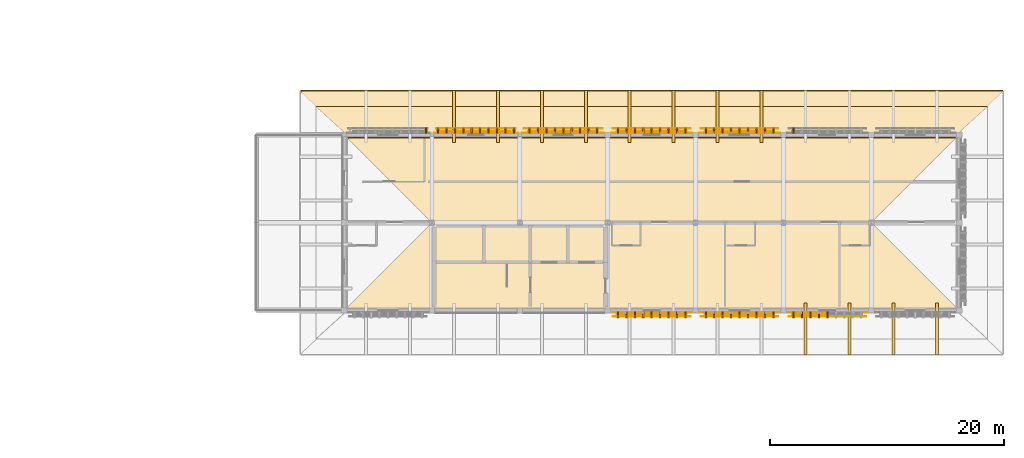
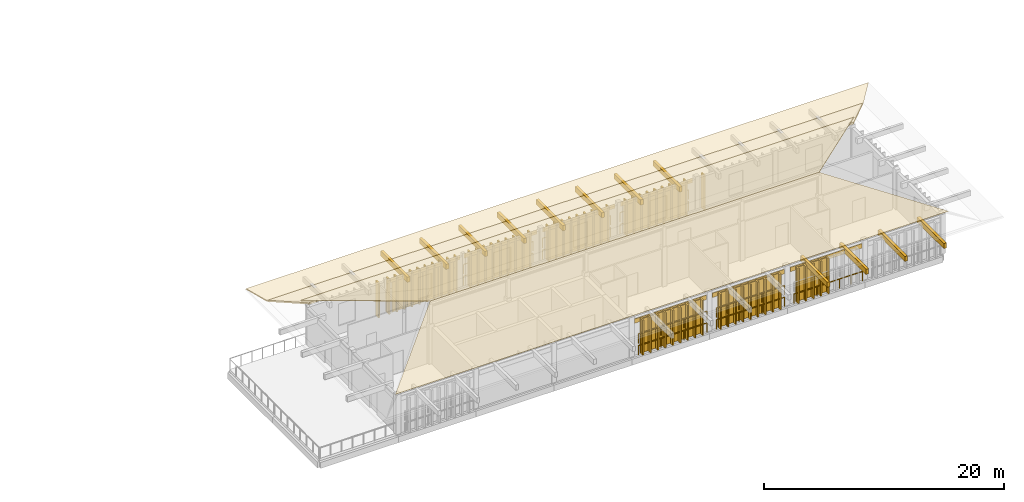
# One storey, part 32 of 33: 85 coverings, 26 shading devices, 13 railings.
"""IFC4 building model written with IfcOpenShell, lengths in metres."""

import ifcopenshell
import ifcopenshell.guid

model = None  # the IFC model being written
_history = None  # IfcOwnerHistory: only IFC2X3 demands one
_inside = {}  # id of a spatial element -> (the spatial element, [elements in it])
_under = {}  # id of a project, library or spatial element -> (it, [spatial elements below it])
_declared = {}  # id of a project -> (the project, [libraries it declares])
_typed = {}  # id of a type object -> (the type object, [elements of that type])
_made_of = {}  # id of a material, layer set ... -> (it, [elements and type objects made of it])


def new_model(schema):
    """Start an empty IFC model of exactly this schema.

    Asked for "IFC4X3", IfcOpenShell would pick the latest addendum, in which some entities
    have other attributes; the version numbers below select the first issue.
    IFC2X3 requires an IfcOwnerHistory on every rooted entity: one is made here for all.
    """
    global model, _history
    if schema == "IFC4X3":
        model = ifcopenshell.file(schema_version=(4, 3, 0, 0))
    else:
        model = ifcopenshell.file(schema=schema)
    _inside.clear()
    _under.clear()
    _declared.clear()
    _typed.clear()
    _made_of.clear()
    _history = None
    if model.schema == "IFC2X3":
        org = make("IfcOrganization", Name="unknown")
        user = make(
            "IfcPersonAndOrganization",
            ThePerson=make("IfcPerson", FamilyName="unknown"),
            TheOrganization=org,
        )
        app = make(
            "IfcApplication",
            ApplicationDeveloper=org,
            Version="unknown",
            ApplicationFullName="unknown",
            ApplicationIdentifier="unknown",
        )
        _history = make(
            "IfcOwnerHistory",
            OwningUser=user,
            OwningApplication=app,
            ChangeAction="ADDED",
            CreationDate=0,
        )
    return model


def make(cls, **values):
    """One entity of the class cls with the attributes given. An attribute that is None is left unset."""
    return model.create_entity(
        cls, **{name: value for name, value in values.items() if value is not None}
    )


def rooted(cls, **values):
    """An entity with a GlobalId (a new one), such as an element, a storey or a relation."""
    return make(cls, GlobalId=ifcopenshell.guid.new(), OwnerHistory=_history, **values)


def si_unit(unit_type, name, prefix=None):
    """IfcSIUnit, for example si_unit("LENGTHUNIT", "METRE", prefix="MILLI")."""
    return make("IfcSIUnit", UnitType=unit_type, Prefix=prefix, Name=name)


def assignment(units):
    """IfcUnitAssignment: the units of a project."""
    return None if units is None else make("IfcUnitAssignment", Units=units)


def point(xyz):
    """IfcCartesianPoint."""
    return None if xyz is None else make("IfcCartesianPoint", Coordinates=xyz)


def direction(xyz):
    """IfcDirection."""
    return None if xyz is None else make("IfcDirection", DirectionRatios=xyz)


def frame(location, z_axis=None, x_axis=None):
    """IfcAxis2Placement3D, a coordinate frame: its origin and axes. An axis left out is left unset."""
    return make(
        "IfcAxis2Placement3D",
        Location=point(location),
        Axis=direction(z_axis),
        RefDirection=direction(x_axis),
    )


def frame_2d(location, x_axis=None):
    """IfcAxis2Placement2D, a coordinate frame in the plane: its origin and x axis."""
    return make(
        "IfcAxis2Placement2D", Location=point(location), RefDirection=direction(x_axis)
    )


def origin():
    """The frame at (0, 0, 0) with its axes left unset."""
    return frame((0.0, 0.0, 0.0))


def origin_2d():
    """The frame at (0, 0) in the plane with its x axis left unset."""
    return frame_2d((0.0, 0.0))


def place(relative_to, where):
    """IfcLocalPlacement: puts the frame where relative to a parent placement (None: the world)."""
    return make(
        "IfcLocalPlacement", PlacementRelTo=relative_to, RelativePlacement=where
    )


def context(
    kind, dimensions, precision=None, world=None, true_north=None, identifier=None
):
    """IfcGeometricRepresentationContext, for example the 3D "Model" context."""
    return make(
        "IfcGeometricRepresentationContext",
        ContextIdentifier=identifier,
        ContextType=kind,
        CoordinateSpaceDimension=dimensions,
        Precision=precision,
        WorldCoordinateSystem=world,
        TrueNorth=true_north,
    )


def subcontext(parent, identifier, kind, view, scale=None):
    """IfcGeometricRepresentationSubContext, for example "Body" below "Model"."""
    return make(
        "IfcGeometricRepresentationSubContext",
        ContextIdentifier=identifier,
        ContextType=kind,
        ParentContext=parent,
        TargetScale=scale,
        TargetView=view,
    )


def project(units=None, contexts=None):
    """IfcProject with its units and contexts."""
    return rooted(
        "IfcProject",
        Name="project",
        RepresentationContexts=contexts,
        UnitsInContext=assignment(units),
    )


def spatial(cls, under=None, at=None, **own):
    """A site, building, storey or space (cls), placed at a placement, below another one or the project."""
    s = rooted(cls, ObjectPlacement=at, **own)
    if under is not None:
        _under.setdefault(under.id(), (under, []))[1].append(s)
    return s


def polyline(points):
    """IfcPolyline through the points."""
    return make("IfcPolyline", Points=[point(p) for p in points])


def profile(cls, at=None, kind="AREA", **sizes):
    """A parametric profile (cls). Its sizes go by their IFC names, for example OverallWidth=200.0."""
    return make(cls, ProfileType=kind, Position=at, **sizes)


def rectangle(**sizes):
    """IfcRectangleProfileDef."""
    return profile("IfcRectangleProfileDef", **sizes)


def circle(**sizes):
    """IfcCircleProfileDef."""
    return profile("IfcCircleProfileDef", **sizes)


def outline(outer, holes=None, kind="AREA"):
    """IfcArbitraryClosedProfileDef: a profile drawn as a closed curve; with holes, ...WithVoids."""
    if holes is None:
        return make("IfcArbitraryClosedProfileDef", ProfileType=kind, OuterCurve=outer)
    return make(
        "IfcArbitraryProfileDefWithVoids",
        ProfileType=kind,
        OuterCurve=outer,
        InnerCurves=holes,
    )


def extrude(swept, where, along, depth):
    """IfcExtrudedAreaSolid: the profile swept, set in the frame where, extruded along a direction by depth."""
    return make(
        "IfcExtrudedAreaSolid",
        SweptArea=swept,
        Position=where,
        ExtrudedDirection=direction(along),
        Depth=depth,
    )


def shape(context_of_items, identifier, shape_type, items):
    """IfcShapeRepresentation: the items that make up one representation, for example the "Body"."""
    return make(
        "IfcShapeRepresentation",
        ContextOfItems=context_of_items,
        RepresentationIdentifier=identifier,
        RepresentationType=shape_type,
        Items=items,
    )


def material(Name=None, Category=None):
    """IfcMaterial."""
    return make("IfcMaterial", Name=Name, Category=Category)


def layer(
    of_material, thickness, ventilated=None, Name=None, Category=None, Priority=None
):
    """IfcMaterialLayer: one layer of a wall or slab, of a material (None: an air gap)."""
    return make(
        "IfcMaterialLayer",
        Material=of_material,
        LayerThickness=thickness,
        IsVentilated=ventilated,
        Name=Name,
        Category=Category,
        Priority=Priority,
    )


def layer_set(layers, Name=None):
    """IfcMaterialLayerSet."""
    return make("IfcMaterialLayerSet", MaterialLayers=layers, LayerSetName=Name)


def made_of(thing, what):
    """Note that an element or type object is made of a material, layer set ...; save() writes the relation."""
    if what is not None:
        _made_of.setdefault(what.id(), (what, []))[1].append(thing)
    return thing


def type_object(cls, material=None, **own):
    """A type object (cls), such as IfcWallType, which elements share."""
    return made_of(rooted(cls, **own), material)


def element(
    cls,
    number,
    at=None,
    inside=None,
    cuts=None,
    type_object=None,
    material=None,
    context=None,
    identifier="Body",
    shape_type=None,
    held_by="IfcProductDefinitionShape",
    body=None,
    shapes=None,
    **own,
):
    """One element of the class cls, such as IfcWall. Its Tag is "e" and its number.

    at: its placement. inside: the storey or other place that contains it. cuts: it is an
    opening in that element (IfcRelVoidsElement). A single representation is given by context,
    identifier, shape_type and body (its items); several are given by shapes. held_by: the class
    of the entity that holds the representations. save() writes the other relations.
    """
    e = rooted(cls, Tag="e%d" % number, ObjectPlacement=at, **own)
    if body is not None:
        shapes = [shape(context, identifier, shape_type, body)]
    if shapes is not None:
        e.Representation = make(held_by, Representations=shapes)
    if inside is not None:
        _inside.setdefault(inside.id(), (inside, []))[1].append(e)
    if cuts is not None:
        rooted(
            "IfcRelVoidsElement", RelatingBuildingElement=cuts, RelatedOpeningElement=e
        )
    if type_object is not None:
        _typed.setdefault(type_object.id(), (type_object, []))[1].append(e)
    return made_of(e, material)


def aggregate(whole, parts):
    """IfcRelAggregates: a whole, such as a stair, and the parts it consists of."""
    return rooted("IfcRelAggregates", RelatingObject=whole, RelatedObjects=parts)


def save(model, path):
    """Write the relations noted so far, then the file.

    IfcRelAggregates (storeys below a building ...), IfcRelContainedInSpatialStructure (elements
    in a storey), IfcRelDefinesByType, IfcRelAssociatesMaterial and IfcRelDeclares: one each for
    every whole, place, type object, material and project.
    """
    for whole, parts in _under.values():
        aggregate(whole, parts)
    for where, things in _inside.values():
        rooted(
            "IfcRelContainedInSpatialStructure",
            RelatedElements=things,
            RelatingStructure=where,
        )
    for kind, things in _typed.values():
        rooted("IfcRelDefinesByType", RelatedObjects=things, RelatingType=kind)
    for what, things in _made_of.values():
        rooted("IfcRelAssociatesMaterial", RelatedObjects=things, RelatingMaterial=what)
    for by, libraries in _declared.values():
        rooted("IfcRelDeclares", RelatingContext=by, RelatedDefinitions=libraries)
    model.write(path)


model = new_model("IFC4")

# Units and contexts
model_context = context("Model", 3, precision=1e-05, world=origin(), true_north=direction((0.0, 1.0)))
body_context = subcontext(model_context, "Body", "Model", "MODEL_VIEW")
ifc_project = project(units=[si_unit("LENGTHUNIT", "METRE"), si_unit("AREAUNIT", "SQUARE_METRE"), si_unit("VOLUMEUNIT", "CUBIC_METRE"), si_unit("PLANEANGLEUNIT", "RADIAN"), si_unit("MASSUNIT", "GRAM", prefix="KILO")], contexts=[model_context])

# Site, building, storey
site_placement = place(None, origin())
site = spatial("IfcSite", under=ifc_project, at=site_placement, CompositionType="ELEMENT")
building_placement = place(site_placement, origin())
building = spatial("IfcBuilding", under=site, at=building_placement, Name="Dalvernix Boulevard General Hospital", CompositionType="ELEMENT")
storey_placement = place(building_placement, frame((0.0, 0.0, 21.89990234375)))
storey = spatial("IfcBuildingStorey", under=building, at=storey_placement, Name="L05", CompositionType="ELEMENT", Elevation=21.89990234375)

# Coverings
ifc_material_1 = material(Name="Polychrome Catalan glazed ceramic spandrel tile panel")
ifc_layer_1 = layer(ifc_material_1, 0.044921875)
ifc_layer_set_1 = layer_set([ifc_layer_1], Name="Polychrome Catalan glazed ceramic spandrel tile panel (COV-CLD-01)")
covering_type_1 = type_object("IfcCoveringType", Name="COV-CLD-01", PredefinedType="CLADDING", material=ifc_layer_set_1)
covering_1_placement = place(storey_placement, frame((131.25, 22.659912109375, 3.294921875), z_axis=(0.0, 0.0, 1.0), x_axis=(1.0, 0.0, 0.0)))
element("IfcCovering", 1, at=covering_1_placement, inside=storey, type_object=covering_type_1, Name="L05 polychrome ceramic spandrel N 17-3", PredefinedType="CLADDING", context=body_context, shape_type="SweptSolid", body=[
    extrude(rectangle(XDim=7.10009765625, YDim=0.044921875, at=origin_2d()), origin(), (0.0, 0.0, 1.0), 0.449951171875),
])
covering_2_placement = place(storey_placement, frame((138.70751953125, 22.659912109375, 3.294921875), z_axis=(0.0, 0.0, 1.0), x_axis=(1.0, 0.0, 0.0)))
element("IfcCovering", 2, at=covering_2_placement, inside=storey, type_object=covering_type_1, Name="L05 polychrome ceramic spandrel N 18-3", PredefinedType="CLADDING", context=body_context, shape_type="SweptSolid", body=[
    extrude(rectangle(XDim=7.014892578125, YDim=0.044921875, at=origin_2d()), origin(), (0.0, 0.0, 1.0), 0.449951171875),
])
for number, where, z_axis, x_axis, name in (
    (3, (146.25, 7.340087890625, 3.294921875), (0.0, 0.0, 1.0), (-1.0, 0.0, 0.0), "L05 polychrome ceramic spandrel S 19-1"),
    (4, (146.25, 22.659912109375, 3.294921875), (0.0, 0.0, 1.0), (1.0, 0.0, 0.0), "L05 polychrome ceramic spandrel N 19-3"),
    (5, (153.75, 7.340087890625, 3.294921875), (0.0, 0.0, 1.0), (-1.0, 0.0, 0.0), "L05 polychrome ceramic spandrel S 20-1"),
    (6, (153.75, 22.659912109375, 3.294921875), (0.0, 0.0, 1.0), (1.0, 0.0, 0.0), "L05 polychrome ceramic spandrel N 20-3"),
    (7, (161.25, 7.340087890625, 3.294921875), (0.0, 0.0, 1.0), (-1.0, 0.0, 0.0), "L05 polychrome ceramic spandrel S 21-1"),
):
    element("IfcCovering", number, at=place(storey_placement, frame(where, z_axis=z_axis, x_axis=x_axis)), inside=storey, type_object=covering_type_1, Name=name, PredefinedType="CLADDING", context=body_context, shape_type="SweptSolid", body=[
        extrude(rectangle(XDim=6.929931640625, YDim=0.044921875, at=origin_2d()), origin(), (0.0, 0.0, 1.0), 0.449951171875),
    ])
ifc_material_2 = material(Name="Glazed Catalan terracotta and iroko timber overhanging upturned eave", Category="masonry")
ifc_layer_2 = layer(ifc_material_2, 0.139892578125)
ifc_layer_set_2 = layer_set([ifc_layer_2], Name="Glazed Catalan terracotta and iroko timber overhanging upturned eave (COV-EAVE-01)")
covering_type_2 = type_object("IfcCoveringType", Name="COV-EAVE-01", PredefinedType="CLADDING", material=ifc_layer_set_2)
covering_3_placement = place(storey_placement, frame((172.5, 22.25, 4.31005859375), z_axis=(0.0, 0.185805173125, 0.982586605669), x_axis=(-1.0, 0.0, 0.0)))
element("IfcCovering", 8, at=covering_3_placement, inside=storey, type_object=covering_type_2, Name="V5 overhanging ceramic eave skirt N", PredefinedType="CLADDING", context=body_context, shape_type="SweptSolid", body=[
    extrude(outline(polyline([(0.0, 0.0), (52.5, 0.0), (55.0, -2.798735484621844), (-2.5, -2.798735484621844), (0.0, 0.0)])), origin(), (0.0, 0.0, -1.0), 0.139892578125),
])
covering_4_placement = place(storey_placement, frame((175.0, 24.919921875, 3.7900390625), z_axis=(0.0, -0.543014792189, 0.839723130242), x_axis=(-1.0, 0.0, 0.0)))
element("IfcCovering", 9, at=covering_4_placement, inside=storey, type_object=covering_type_2, Name="V5 upturned ceramic eave wing N", PredefinedType="CLADDING", context=body_context, shape_type="SweptSolid", body=[
    extrude(outline(polyline([(0.0, 0.0), (57.5, 0.0), (58.75, -1.5839484195414872), (-1.25, -1.5839484195414872), (0.0, 0.0)])), origin(), (0.0, 0.0, -1.0), 0.139892578125),
])
ifc_material_3 = material(Name="Preservative-treated glulam GL28h eave outlooker corbel bracket", Category="wood")
ifc_layer_3 = layer(ifc_material_3, 0.239990234375)
ifc_layer_set_3 = layer_set([ifc_layer_3], Name="Preservative-treated glulam GL28h eave outlooker corbel bracket (COV-OUTLOOK-01)")
covering_type_3 = type_object("IfcCoveringType", Name="COV-OUTLOOK-01", PredefinedType="CLADDING", material=ifc_layer_set_3)
for number, where, z_axis, x_axis, name in (
    (10, (159.375, 5.925048828125, 3.39013671875), (0.0, 0.0, 1.0), (1.0, 0.0, 0.0), "V5 glulam eave outlooker corbel S-11"),
    (11, (163.125, 5.925048828125, 3.39013671875), (0.0, 0.0, 1.0), (1.0, 0.0, 0.0), "V5 glulam eave outlooker corbel S-12"),
    (12, (166.875, 5.925048828125, 3.39013671875), (0.0, 0.0, 1.0), (1.0, 0.0, 0.0), "V5 glulam eave outlooker corbel S-13"),
    (13, (170.625, 5.925048828125, 3.39013671875), (0.0, 0.0, 1.0), (1.0, 0.0, 0.0), "V5 glulam eave outlooker corbel S-14"),
    (14, (129.375, 24.074951171875, 3.39013671875), (0.0, 0.0, 1.0), (1.0, 0.0, 0.0), "V5 glulam eave outlooker corbel N-3"),
    (15, (133.125, 24.074951171875, 3.39013671875), (0.0, 0.0, 1.0), (1.0, 0.0, 0.0), "V5 glulam eave outlooker corbel N-4"),
    (16, (136.875, 24.074951171875, 3.39013671875), (0.0, 0.0, 1.0), (1.0, 0.0, 0.0), "V5 glulam eave outlooker corbel N-5"),
    (17, (140.625, 24.074951171875, 3.39013671875), (0.0, 0.0, 1.0), (1.0, 0.0, 0.0), "V5 glulam eave outlooker corbel N-6"),
    (18, (144.375, 24.074951171875, 3.39013671875), (0.0, 0.0, 1.0), (1.0, 0.0, 0.0), "V5 glulam eave outlooker corbel N-7"),
    (19, (148.125, 24.074951171875, 3.39013671875), (0.0, 0.0, 1.0), (1.0, 0.0, 0.0), "V5 glulam eave outlooker corbel N-8"),
    (20, (151.875, 24.074951171875, 3.39013671875), (0.0, 0.0, 1.0), (1.0, 0.0, 0.0), "V5 glulam eave outlooker corbel N-9"),
    (21, (155.625, 24.074951171875, 3.39013671875), (0.0, 0.0, 1.0), (1.0, 0.0, 0.0), "V5 glulam eave outlooker corbel N-10"),
):
    element("IfcCovering", number, at=place(storey_placement, frame(where, z_axis=z_axis, x_axis=x_axis)), inside=storey, type_object=covering_type_3, Name=name, PredefinedType="CLADDING", context=body_context, shape_type="SweptSolid", body=[
        extrude(rectangle(XDim=0.260009765625, YDim=4.449951171875, at=origin_2d()), origin(), (0.0, 0.0, 1.0), 0.52001953125),
    ])
ifc_material_4 = material(Name="Polychrome Catalan glazed terracotta roof tiles", Category="masonry")
ifc_layer_4 = layer(ifc_material_4, 0.050048828125)
ifc_layer_set_4 = layer_set([ifc_layer_4], Name="Polychrome Catalan glazed terracotta roof tiles (COV-ROOF-01)")
covering_type_4 = type_object("IfcCoveringType", Name="COV-ROOF-01", PredefinedType="ROOFING", material=ifc_layer_set_4)
for number, where, z_axis, x_axis, name in (
    (22, (119.60009765625, 7.10009765625, 4.320068359375), (0.0, -0.238536653022, 0.971133495028), (1.0, 0.0, 0.0), "V5 glazed terracotta tile slope S"),
    (23, (172.89990234375, 22.89990234375, 4.320068359375), (0.0, 0.238536653022, 0.971133495028), (-1.0, 0.0, 0.0), "V5 glazed terracotta tile slope N"),
):
    element("IfcCovering", number, at=place(storey_placement, frame(where, z_axis=z_axis, x_axis=x_axis)), inside=storey, type_object=covering_type_4, Name=name, PredefinedType="ROOFING", context=body_context, shape_type="SweptSolid", body=[
        extrude(outline(polyline([(0.0, 0.0), (53.2998046875, 0.0), (45.39990234375, 8.134723376545638), (7.89990234375, 8.134723376545638), (0.0, 0.0)])), origin(), (0.0, 0.0, -1.0), 0.050048828125),
    ])
ifc_material_5 = material(Name="Preservative-treated West African iroko timber lattice screen", Category="wood")
ifc_layer_5 = layer(ifc_material_5, 0.1201171875)
ifc_layer_set_5 = layer_set([ifc_layer_5], Name="Preservative-treated West African iroko timber lattice screen (COV-TSCR-01)")
covering_type_5 = type_object("IfcCoveringType", Name="COV-TSCR-01", PredefinedType="CLADDING", material=ifc_layer_set_5)
for number, where, z_axis, x_axis, name in (
    (24, (126.989990234375, 22.860107421875, 0.10009765625), (0.0, 0.0, 1.0), (1.0, 0.0, 0.0), "L05 upper-ward timber screen blade N 16-3-10"),
    (25, (128.010009765625, 22.860107421875, 0.10009765625), (0.0, 0.0, 1.0), (1.0, 0.0, 0.0), "L05 upper-ward timber screen blade N 17-3-1"),
    (26, (128.72998046875, 22.860107421875, 0.10009765625), (0.0, 0.0, 1.0), (1.0, 0.0, 0.0), "L05 upper-ward timber screen blade N 17-3-2"),
    (27, (129.449951171875, 22.860107421875, 0.10009765625), (0.0, 0.0, 1.0), (1.0, 0.0, 0.0), "L05 upper-ward timber screen blade N 17-3-3"),
    (28, (130.169921875, 22.860107421875, 0.10009765625), (0.0, 0.0, 1.0), (1.0, 0.0, 0.0), "L05 upper-ward timber screen blade N 17-3-4"),
    (29, (130.889892578125, 22.860107421875, 0.10009765625), (0.0, 0.0, 1.0), (1.0, 0.0, 0.0), "L05 upper-ward timber screen blade N 17-3-5"),
    (30, (131.610107421875, 22.860107421875, 0.10009765625), (0.0, 0.0, 1.0), (1.0, 0.0, 0.0), "L05 upper-ward timber screen blade N 17-3-6"),
    (31, (132.330078125, 22.860107421875, 0.10009765625), (0.0, 0.0, 1.0), (1.0, 0.0, 0.0), "L05 upper-ward timber screen blade N 17-3-7"),
    (32, (133.050048828125, 22.860107421875, 0.10009765625), (0.0, 0.0, 1.0), (1.0, 0.0, 0.0), "L05 upper-ward timber screen blade N 17-3-8"),
    (33, (133.77001953125, 22.860107421875, 0.10009765625), (0.0, 0.0, 1.0), (1.0, 0.0, 0.0), "L05 upper-ward timber screen blade N 17-3-9"),
    (34, (134.489990234375, 22.860107421875, 0.10009765625), (0.0, 0.0, 1.0), (1.0, 0.0, 0.0), "L05 upper-ward timber screen blade N 17-3-10"),
    (35, (135.827392578125, 22.860107421875, 0.10009765625), (0.0, 0.0, 1.0), (1.0, 0.0, 0.0), "L05 upper-ward timber screen blade N 18-3-1"),
    (36, (136.547607421875, 22.860107421875, 0.10009765625), (0.0, 0.0, 1.0), (1.0, 0.0, 0.0), "L05 upper-ward timber screen blade N 18-3-2"),
    (37, (137.267578125, 22.860107421875, 0.10009765625), (0.0, 0.0, 1.0), (1.0, 0.0, 0.0), "L05 upper-ward timber screen blade N 18-3-3"),
    (38, (137.987548828125, 22.860107421875, 0.10009765625), (0.0, 0.0, 1.0), (1.0, 0.0, 0.0), "L05 upper-ward timber screen blade N 18-3-4"),
    (39, (138.70751953125, 22.860107421875, 0.10009765625), (0.0, 0.0, 1.0), (1.0, 0.0, 0.0), "L05 upper-ward timber screen blade N 18-3-5"),
    (40, (139.427490234375, 22.860107421875, 0.10009765625), (0.0, 0.0, 1.0), (1.0, 0.0, 0.0), "L05 upper-ward timber screen blade N 18-3-6"),
    (41, (140.1474609375, 22.860107421875, 0.10009765625), (0.0, 0.0, 1.0), (1.0, 0.0, 0.0), "L05 upper-ward timber screen blade N 18-3-7"),
    (42, (140.867431640625, 22.860107421875, 0.10009765625), (0.0, 0.0, 1.0), (1.0, 0.0, 0.0), "L05 upper-ward timber screen blade N 18-3-8"),
    (43, (141.58740234375, 22.860107421875, 0.10009765625), (0.0, 0.0, 1.0), (1.0, 0.0, 0.0), "L05 upper-ward timber screen blade N 18-3-9"),
    (44, (149.1298828125, 7.139892578125, 0.10009765625), (0.0, 0.0, 1.0), (-1.0, 0.0, 0.0), "L05 upper-ward timber screen blade S 19-1-1"),
    (45, (148.409912109375, 7.139892578125, 0.10009765625), (0.0, 0.0, 1.0), (-1.0, 0.0, 0.0), "L05 upper-ward timber screen blade S 19-1-2"),
    (46, (147.68994140625, 7.139892578125, 0.10009765625), (0.0, 0.0, 1.0), (-1.0, 0.0, 0.0), "L05 upper-ward timber screen blade S 19-1-3"),
    (47, (146.969970703125, 7.139892578125, 0.10009765625), (0.0, 0.0, 1.0), (-1.0, 0.0, 0.0), "L05 upper-ward timber screen blade S 19-1-4"),
    (48, (146.25, 7.139892578125, 0.10009765625), (0.0, 0.0, 1.0), (-1.0, 0.0, 0.0), "L05 upper-ward timber screen blade S 19-1-5"),
    (49, (145.530029296875, 7.139892578125, 0.10009765625), (0.0, 0.0, 1.0), (-1.0, 0.0, 0.0), "L05 upper-ward timber screen blade S 19-1-6"),
    (50, (144.81005859375, 7.139892578125, 0.10009765625), (0.0, 0.0, 1.0), (-1.0, 0.0, 0.0), "L05 upper-ward timber screen blade S 19-1-7"),
    (51, (144.090087890625, 7.139892578125, 0.10009765625), (0.0, 0.0, 1.0), (-1.0, 0.0, 0.0), "L05 upper-ward timber screen blade S 19-1-8"),
    (52, (143.3701171875, 7.139892578125, 0.10009765625), (0.0, 0.0, 1.0), (-1.0, 0.0, 0.0), "L05 upper-ward timber screen blade S 19-1-9"),
    (53, (143.3701171875, 22.860107421875, 0.10009765625), (0.0, 0.0, 1.0), (1.0, 0.0, 0.0), "L05 upper-ward timber screen blade N 19-3-1"),
    (54, (144.090087890625, 22.860107421875, 0.10009765625), (0.0, 0.0, 1.0), (1.0, 0.0, 0.0), "L05 upper-ward timber screen blade N 19-3-2"),
    (55, (144.81005859375, 22.860107421875, 0.10009765625), (0.0, 0.0, 1.0), (1.0, 0.0, 0.0), "L05 upper-ward timber screen blade N 19-3-3"),
    (56, (145.530029296875, 22.860107421875, 0.10009765625), (0.0, 0.0, 1.0), (1.0, 0.0, 0.0), "L05 upper-ward timber screen blade N 19-3-4"),
    (57, (146.25, 22.860107421875, 0.10009765625), (0.0, 0.0, 1.0), (1.0, 0.0, 0.0), "L05 upper-ward timber screen blade N 19-3-5"),
    (58, (146.969970703125, 22.860107421875, 0.10009765625), (0.0, 0.0, 1.0), (1.0, 0.0, 0.0), "L05 upper-ward timber screen blade N 19-3-6"),
    (59, (147.68994140625, 22.860107421875, 0.10009765625), (0.0, 0.0, 1.0), (1.0, 0.0, 0.0), "L05 upper-ward timber screen blade N 19-3-7"),
    (60, (148.409912109375, 22.860107421875, 0.10009765625), (0.0, 0.0, 1.0), (1.0, 0.0, 0.0), "L05 upper-ward timber screen blade N 19-3-8"),
    (61, (149.1298828125, 22.860107421875, 0.10009765625), (0.0, 0.0, 1.0), (1.0, 0.0, 0.0), "L05 upper-ward timber screen blade N 19-3-9"),
    (62, (156.6298828125, 7.139892578125, 0.10009765625), (0.0, 0.0, 1.0), (-1.0, 0.0, 0.0), "L05 upper-ward timber screen blade S 20-1-1"),
    (63, (155.909912109375, 7.139892578125, 0.10009765625), (0.0, 0.0, 1.0), (-1.0, 0.0, 0.0), "L05 upper-ward timber screen blade S 20-1-2"),
    (64, (155.18994140625, 7.139892578125, 0.10009765625), (0.0, 0.0, 1.0), (-1.0, 0.0, 0.0), "L05 upper-ward timber screen blade S 20-1-3"),
    (65, (154.469970703125, 7.139892578125, 0.10009765625), (0.0, 0.0, 1.0), (-1.0, 0.0, 0.0), "L05 upper-ward timber screen blade S 20-1-4"),
    (66, (153.75, 7.139892578125, 0.10009765625), (0.0, 0.0, 1.0), (-1.0, 0.0, 0.0), "L05 upper-ward timber screen blade S 20-1-5"),
    (67, (153.030029296875, 7.139892578125, 0.10009765625), (0.0, 0.0, 1.0), (-1.0, 0.0, 0.0), "L05 upper-ward timber screen blade S 20-1-6"),
    (68, (152.31005859375, 7.139892578125, 0.10009765625), (0.0, 0.0, 1.0), (-1.0, 0.0, 0.0), "L05 upper-ward timber screen blade S 20-1-7"),
    (69, (151.590087890625, 7.139892578125, 0.10009765625), (0.0, 0.0, 1.0), (-1.0, 0.0, 0.0), "L05 upper-ward timber screen blade S 20-1-8"),
    (70, (150.8701171875, 7.139892578125, 0.10009765625), (0.0, 0.0, 1.0), (-1.0, 0.0, 0.0), "L05 upper-ward timber screen blade S 20-1-9"),
    (71, (150.8701171875, 22.860107421875, 0.10009765625), (0.0, 0.0, 1.0), (1.0, 0.0, 0.0), "L05 upper-ward timber screen blade N 20-3-1"),
    (72, (151.590087890625, 22.860107421875, 0.10009765625), (0.0, 0.0, 1.0), (1.0, 0.0, 0.0), "L05 upper-ward timber screen blade N 20-3-2"),
    (73, (152.31005859375, 22.860107421875, 0.10009765625), (0.0, 0.0, 1.0), (1.0, 0.0, 0.0), "L05 upper-ward timber screen blade N 20-3-3"),
    (74, (153.030029296875, 22.860107421875, 0.10009765625), (0.0, 0.0, 1.0), (1.0, 0.0, 0.0), "L05 upper-ward timber screen blade N 20-3-4"),
    (75, (153.75, 22.860107421875, 0.10009765625), (0.0, 0.0, 1.0), (1.0, 0.0, 0.0), "L05 upper-ward timber screen blade N 20-3-5"),
    (76, (154.469970703125, 22.860107421875, 0.10009765625), (0.0, 0.0, 1.0), (1.0, 0.0, 0.0), "L05 upper-ward timber screen blade N 20-3-6"),
    (77, (155.18994140625, 22.860107421875, 0.10009765625), (0.0, 0.0, 1.0), (1.0, 0.0, 0.0), "L05 upper-ward timber screen blade N 20-3-7"),
    (78, (155.909912109375, 22.860107421875, 0.10009765625), (0.0, 0.0, 1.0), (1.0, 0.0, 0.0), "L05 upper-ward timber screen blade N 20-3-8"),
    (79, (156.6298828125, 22.860107421875, 0.10009765625), (0.0, 0.0, 1.0), (1.0, 0.0, 0.0), "L05 upper-ward timber screen blade N 20-3-9"),
    (80, (161.25, 7.139892578125, 0.10009765625), (0.0, 0.0, 1.0), (-1.0, 0.0, 0.0), "L05 upper-ward timber screen blade S 21-1-5"),
    (81, (160.530029296875, 7.139892578125, 0.10009765625), (0.0, 0.0, 1.0), (-1.0, 0.0, 0.0), "L05 upper-ward timber screen blade S 21-1-6"),
    (82, (159.81005859375, 7.139892578125, 0.10009765625), (0.0, 0.0, 1.0), (-1.0, 0.0, 0.0), "L05 upper-ward timber screen blade S 21-1-7"),
    (83, (159.090087890625, 7.139892578125, 0.10009765625), (0.0, 0.0, 1.0), (-1.0, 0.0, 0.0), "L05 upper-ward timber screen blade S 21-1-8"),
    (84, (158.3701171875, 7.139892578125, 0.10009765625), (0.0, 0.0, 1.0), (-1.0, 0.0, 0.0), "L05 upper-ward timber screen blade S 21-1-9"),
    (85, (158.3701171875, 22.860107421875, 0.10009765625), (0.0, 0.0, 1.0), (1.0, 0.0, 0.0), "L05 upper-ward timber screen blade N 21-3-1"),
):
    element("IfcCovering", number, at=place(storey_placement, frame(where, z_axis=z_axis, x_axis=x_axis)), inside=storey, type_object=covering_type_5, Name=name, PredefinedType="CLADDING", context=body_context, shape_type="SweptSolid", body=[
        extrude(rectangle(XDim=0.1298828125, YDim=0.47998046875, at=origin_2d()), origin(), (0.0, 0.0, 1.0), 3.570068359375),
    ])

# Railings
ifc_material_6 = material(Name="Preservative-treated iroko timber horizontal screen louver rail", Category="wood")
railing_type = type_object("IfcRailingType", Name="RL-TSCR-01", PredefinedType="BALUSTRADE", material=ifc_material_6)
for number, where, name in (
    (86, (127.8701171875, 23.02001953125, 0.25), "L05 upper-ward horizontal timber screen louver N 17-3-1"),
    (87, (127.8701171875, 23.02001953125, 1.4501953125), "L05 upper-ward horizontal timber screen louver N 17-3-2"),
):
    element("IfcRailing", number, at=place(storey_placement, frame(where)), inside=storey, type_object=railing_type, Name=name, PredefinedType="BALUSTRADE", context=body_context, shape_type="SweptSolid", body=[
        extrude(circle(Radius=0.02392578125, at=origin_2d()), frame((0.0, 0.0, 0.92578125), z_axis=(1.0, 0.0, 0.0), x_axis=(0.0, 1.0, 0.0)), (0.0, 0.0, 1.0), 6.759765625),
        extrude(circle(Radius=0.02099609375, at=origin_2d()), origin(), (0.0, 0.0, 1.0), 0.90185546875),
        extrude(circle(Radius=0.02099609375, at=origin_2d()), frame((1.126708984375, 0.0, 0.0)), (0.0, 0.0, 1.0), 0.90185546875),
        extrude(circle(Radius=0.02099609375, at=origin_2d()), frame((2.253173828125, 0.0, 0.0)), (0.0, 0.0, 1.0), 0.90185546875),
        extrude(circle(Radius=0.02099609375, at=origin_2d()), frame((3.3798828125, 0.0, 0.0)), (0.0, 0.0, 1.0), 0.90185546875),
        extrude(circle(Radius=0.02099609375, at=origin_2d()), frame((4.506591796875, 0.0, 0.0)), (0.0, 0.0, 1.0), 0.90185546875),
        extrude(circle(Radius=0.02099609375, at=origin_2d()), frame((5.633056640625, 0.0, 0.0)), (0.0, 0.0, 1.0), 0.90185546875),
        extrude(circle(Radius=0.02099609375, at=origin_2d()), frame((6.759765625, 0.0, 0.0)), (0.0, 0.0, 1.0), 0.90185546875),
    ])
for number, where, name in (
    (88, (135.3701171875, 23.02001953125, 0.25), "L05 upper-ward horizontal timber screen louver N 18-3-1"),
    (89, (135.3701171875, 23.02001953125, 1.4501953125), "L05 upper-ward horizontal timber screen louver N 18-3-2"),
):
    element("IfcRailing", number, at=place(storey_placement, frame(where)), inside=storey, type_object=railing_type, Name=name, PredefinedType="BALUSTRADE", context=body_context, shape_type="SweptSolid", body=[
        extrude(circle(Radius=0.02392578125, at=origin_2d()), frame((0.0, 0.0, 0.92578125), z_axis=(1.0, 0.0, 0.0), x_axis=(0.0, 1.0, 0.0)), (0.0, 0.0, 1.0), 6.6748046875),
        extrude(circle(Radius=0.02099609375, at=origin_2d()), origin(), (0.0, 0.0, 1.0), 0.90185546875),
        extrude(circle(Radius=0.02099609375, at=origin_2d()), frame((1.112548828125, 0.0, 0.0)), (0.0, 0.0, 1.0), 0.90185546875),
        extrude(circle(Radius=0.02099609375, at=origin_2d()), frame((2.224853515625, 0.0, 0.0)), (0.0, 0.0, 1.0), 0.90185546875),
        extrude(circle(Radius=0.02099609375, at=origin_2d()), frame((3.33740234375, 0.0, 0.0)), (0.0, 0.0, 1.0), 0.90185546875),
        extrude(circle(Radius=0.02099609375, at=origin_2d()), frame((4.449951171875, 0.0, 0.0)), (0.0, 0.0, 1.0), 0.90185546875),
        extrude(circle(Radius=0.02099609375, at=origin_2d()), frame((5.562255859375, 0.0, 0.0)), (0.0, 0.0, 1.0), 0.90185546875),
        extrude(circle(Radius=0.02099609375, at=origin_2d()), frame((6.6748046875, 0.0, 0.0)), (0.0, 0.0, 1.0), 0.90185546875),
    ])
for number, where, name in (
    (90, (149.544921875, 6.97998046875, 0.25), "L05 upper-ward horizontal timber screen louver S 19-1-1"),
    (91, (149.544921875, 6.97998046875, 1.4501953125), "L05 upper-ward horizontal timber screen louver S 19-1-2"),
):
    element("IfcRailing", number, at=place(storey_placement, frame(where)), inside=storey, type_object=railing_type, Name=name, PredefinedType="BALUSTRADE", context=body_context, shape_type="SweptSolid", body=[
        extrude(circle(Radius=0.02392578125, at=origin_2d()), frame((0.0, 0.0, 0.92578125), z_axis=(-1.0, 0.0, 0.0), x_axis=(0.0, -1.0, 0.0)), (0.0, 0.0, 1.0), 6.58984375),
        extrude(circle(Radius=0.02099609375, at=origin_2d()), origin(), (0.0, 0.0, 1.0), 0.90185546875),
        extrude(circle(Radius=0.02099609375, at=origin_2d()), frame((-1.098388671875, 0.0, 0.0)), (0.0, 0.0, 1.0), 0.90185546875),
        extrude(circle(Radius=0.02099609375, at=origin_2d()), frame((-2.196533203125, 0.0, 0.0)), (0.0, 0.0, 1.0), 0.90185546875),
        extrude(circle(Radius=0.02099609375, at=origin_2d()), frame((-3.294921875, 0.0, 0.0)), (0.0, 0.0, 1.0), 0.90185546875),
        extrude(circle(Radius=0.02099609375, at=origin_2d()), frame((-4.393310546875, 0.0, 0.0)), (0.0, 0.0, 1.0), 0.90185546875),
        extrude(circle(Radius=0.02099609375, at=origin_2d()), frame((-5.491455078125, 0.0, 0.0)), (0.0, 0.0, 1.0), 0.90185546875),
        extrude(circle(Radius=0.02099609375, at=origin_2d()), frame((-6.58984375, 0.0, 0.0)), (0.0, 0.0, 1.0), 0.90185546875),
    ])
for number, where, name in (
    (92, (142.955078125, 23.02001953125, 0.25), "L05 upper-ward horizontal timber screen louver N 19-3-1"),
    (93, (142.955078125, 23.02001953125, 1.4501953125), "L05 upper-ward horizontal timber screen louver N 19-3-2"),
):
    element("IfcRailing", number, at=place(storey_placement, frame(where)), inside=storey, type_object=railing_type, Name=name, PredefinedType="BALUSTRADE", context=body_context, shape_type="SweptSolid", body=[
        extrude(circle(Radius=0.02392578125, at=origin_2d()), frame((0.0, 0.0, 0.92578125), z_axis=(1.0, 0.0, 0.0), x_axis=(0.0, 1.0, 0.0)), (0.0, 0.0, 1.0), 6.58984375),
        extrude(circle(Radius=0.02099609375, at=origin_2d()), origin(), (0.0, 0.0, 1.0), 0.90185546875),
        extrude(circle(Radius=0.02099609375, at=origin_2d()), frame((1.098388671875, 0.0, 0.0)), (0.0, 0.0, 1.0), 0.90185546875),
        extrude(circle(Radius=0.02099609375, at=origin_2d()), frame((2.196533203125, 0.0, 0.0)), (0.0, 0.0, 1.0), 0.90185546875),
        extrude(circle(Radius=0.02099609375, at=origin_2d()), frame((3.294921875, 0.0, 0.0)), (0.0, 0.0, 1.0), 0.90185546875),
        extrude(circle(Radius=0.02099609375, at=origin_2d()), frame((4.393310546875, 0.0, 0.0)), (0.0, 0.0, 1.0), 0.90185546875),
        extrude(circle(Radius=0.02099609375, at=origin_2d()), frame((5.491455078125, 0.0, 0.0)), (0.0, 0.0, 1.0), 0.90185546875),
        extrude(circle(Radius=0.02099609375, at=origin_2d()), frame((6.58984375, 0.0, 0.0)), (0.0, 0.0, 1.0), 0.90185546875),
    ])
for number, where, name in (
    (94, (157.044921875, 6.97998046875, 0.25), "L05 upper-ward horizontal timber screen louver S 20-1-1"),
    (95, (157.044921875, 6.97998046875, 1.4501953125), "L05 upper-ward horizontal timber screen louver S 20-1-2"),
):
    element("IfcRailing", number, at=place(storey_placement, frame(where)), inside=storey, type_object=railing_type, Name=name, PredefinedType="BALUSTRADE", context=body_context, shape_type="SweptSolid", body=[
        extrude(circle(Radius=0.02392578125, at=origin_2d()), frame((0.0, 0.0, 0.92578125), z_axis=(-1.0, 0.0, 0.0), x_axis=(0.0, -1.0, 0.0)), (0.0, 0.0, 1.0), 6.58984375),
        extrude(circle(Radius=0.02099609375, at=origin_2d()), origin(), (0.0, 0.0, 1.0), 0.90185546875),
        extrude(circle(Radius=0.02099609375, at=origin_2d()), frame((-1.098388671875, 0.0, 0.0)), (0.0, 0.0, 1.0), 0.90185546875),
        extrude(circle(Radius=0.02099609375, at=origin_2d()), frame((-2.196533203125, 0.0, 0.0)), (0.0, 0.0, 1.0), 0.90185546875),
        extrude(circle(Radius=0.02099609375, at=origin_2d()), frame((-3.294921875, 0.0, 0.0)), (0.0, 0.0, 1.0), 0.90185546875),
        extrude(circle(Radius=0.02099609375, at=origin_2d()), frame((-4.393310546875, 0.0, 0.0)), (0.0, 0.0, 1.0), 0.90185546875),
        extrude(circle(Radius=0.02099609375, at=origin_2d()), frame((-5.491455078125, 0.0, 0.0)), (0.0, 0.0, 1.0), 0.90185546875),
        extrude(circle(Radius=0.02099609375, at=origin_2d()), frame((-6.58984375, 0.0, 0.0)), (0.0, 0.0, 1.0), 0.90185546875),
    ])
for number, where, name in (
    (96, (150.455078125, 23.02001953125, 0.25), "L05 upper-ward horizontal timber screen louver N 20-3-1"),
    (97, (150.455078125, 23.02001953125, 1.4501953125), "L05 upper-ward horizontal timber screen louver N 20-3-2"),
):
    element("IfcRailing", number, at=place(storey_placement, frame(where)), inside=storey, type_object=railing_type, Name=name, PredefinedType="BALUSTRADE", context=body_context, shape_type="SweptSolid", body=[
        extrude(circle(Radius=0.02392578125, at=origin_2d()), frame((0.0, 0.0, 0.92578125), z_axis=(1.0, 0.0, 0.0), x_axis=(0.0, 1.0, 0.0)), (0.0, 0.0, 1.0), 6.58984375),
        extrude(circle(Radius=0.02099609375, at=origin_2d()), origin(), (0.0, 0.0, 1.0), 0.90185546875),
        extrude(circle(Radius=0.02099609375, at=origin_2d()), frame((1.098388671875, 0.0, 0.0)), (0.0, 0.0, 1.0), 0.90185546875),
        extrude(circle(Radius=0.02099609375, at=origin_2d()), frame((2.196533203125, 0.0, 0.0)), (0.0, 0.0, 1.0), 0.90185546875),
        extrude(circle(Radius=0.02099609375, at=origin_2d()), frame((3.294921875, 0.0, 0.0)), (0.0, 0.0, 1.0), 0.90185546875),
        extrude(circle(Radius=0.02099609375, at=origin_2d()), frame((4.393310546875, 0.0, 0.0)), (0.0, 0.0, 1.0), 0.90185546875),
        extrude(circle(Radius=0.02099609375, at=origin_2d()), frame((5.491455078125, 0.0, 0.0)), (0.0, 0.0, 1.0), 0.90185546875),
        extrude(circle(Radius=0.02099609375, at=origin_2d()), frame((6.58984375, 0.0, 0.0)), (0.0, 0.0, 1.0), 0.90185546875),
    ])
railing_placement = place(storey_placement, frame((164.544921875, 6.97998046875, 0.25)))
element("IfcRailing", 98, at=railing_placement, inside=storey, type_object=railing_type, Name="L05 upper-ward horizontal timber screen louver S 21-1-1", PredefinedType="BALUSTRADE", context=body_context, shape_type="SweptSolid", body=[
    extrude(circle(Radius=0.02392578125, at=origin_2d()), frame((0.0, 0.0, 0.92578125), z_axis=(-1.0, 0.0, 0.0), x_axis=(0.0, -1.0, 0.0)), (0.0, 0.0, 1.0), 6.58984375),
    extrude(circle(Radius=0.02099609375, at=origin_2d()), origin(), (0.0, 0.0, 1.0), 0.90185546875),
    extrude(circle(Radius=0.02099609375, at=origin_2d()), frame((-1.098388671875, 0.0, 0.0)), (0.0, 0.0, 1.0), 0.90185546875),
    extrude(circle(Radius=0.02099609375, at=origin_2d()), frame((-2.196533203125, 0.0, 0.0)), (0.0, 0.0, 1.0), 0.90185546875),
    extrude(circle(Radius=0.02099609375, at=origin_2d()), frame((-3.294921875, 0.0, 0.0)), (0.0, 0.0, 1.0), 0.90185546875),
    extrude(circle(Radius=0.02099609375, at=origin_2d()), frame((-4.393310546875, 0.0, 0.0)), (0.0, 0.0, 1.0), 0.90185546875),
    extrude(circle(Radius=0.02099609375, at=origin_2d()), frame((-5.491455078125, 0.0, 0.0)), (0.0, 0.0, 1.0), 0.90185546875),
    extrude(circle(Radius=0.02099609375, at=origin_2d()), frame((-6.58984375, 0.0, 0.0)), (0.0, 0.0, 1.0), 0.90185546875),
])

# Shading devices
ifc_material_7 = material(Name="Perforated iroko timber and glazed ceramic screen (30 percent open)", Category="wood")
shading_device_type = type_object("IfcShadingDeviceType", Name="SHD-SCR-01", PredefinedType="USERDEFINED", material=ifc_material_7)
for number, where, z_axis, x_axis, name in (
    (99, (129.0, 22.760009765625, 0.14990234375), (0.0, 0.0, 1.0), (1.0, 0.0, 0.0), "L05 perforated timber screen 1"),
    (100, (130.5, 22.760009765625, 0.14990234375), (0.0, 0.0, 1.0), (1.0, 0.0, 0.0), "L05 perforated timber screen 2"),
    (101, (132.0, 22.760009765625, 0.14990234375), (0.0, 0.0, 1.0), (1.0, 0.0, 0.0), "L05 perforated timber screen 3"),
    (102, (133.5, 22.760009765625, 0.14990234375), (0.0, 0.0, 1.0), (1.0, 0.0, 0.0), "L05 perforated timber screen 4"),
    (103, (136.45751953125, 22.760009765625, 0.14990234375), (0.0, 0.0, 1.0), (1.0, 0.0, 0.0), "L05 perforated timber screen 1"),
    (104, (137.95751953125, 22.760009765625, 0.14990234375), (0.0, 0.0, 1.0), (1.0, 0.0, 0.0), "L05 perforated timber screen 2"),
    (105, (139.45751953125, 22.760009765625, 0.14990234375), (0.0, 0.0, 1.0), (1.0, 0.0, 0.0), "L05 perforated timber screen 3"),
    (106, (140.95751953125, 22.760009765625, 0.14990234375), (0.0, 0.0, 1.0), (1.0, 0.0, 0.0), "L05 perforated timber screen 4"),
    (107, (148.5, 7.239990234375, 0.14990234375), (0.0, 0.0, 1.0), (-1.0, 0.0, 0.0), "L05 perforated timber screen 1"),
    (108, (147.0, 7.239990234375, 0.14990234375), (0.0, 0.0, 1.0), (-1.0, 0.0, 0.0), "L05 perforated timber screen 2"),
    (109, (145.5, 7.239990234375, 0.14990234375), (0.0, 0.0, 1.0), (-1.0, 0.0, 0.0), "L05 perforated timber screen 3"),
    (110, (144.0, 7.239990234375, 0.14990234375), (0.0, 0.0, 1.0), (-1.0, 0.0, 0.0), "L05 perforated timber screen 4"),
    (111, (144.0, 22.760009765625, 0.14990234375), (0.0, 0.0, 1.0), (1.0, 0.0, 0.0), "L05 perforated timber screen 1"),
    (112, (145.5, 22.760009765625, 0.14990234375), (0.0, 0.0, 1.0), (1.0, 0.0, 0.0), "L05 perforated timber screen 2"),
    (113, (147.0, 22.760009765625, 0.14990234375), (0.0, 0.0, 1.0), (1.0, 0.0, 0.0), "L05 perforated timber screen 3"),
    (114, (148.5, 22.760009765625, 0.14990234375), (0.0, 0.0, 1.0), (1.0, 0.0, 0.0), "L05 perforated timber screen 4"),
    (115, (156.0, 7.239990234375, 0.14990234375), (0.0, 0.0, 1.0), (-1.0, 0.0, 0.0), "L05 perforated timber screen 1"),
    (116, (154.5, 7.239990234375, 0.14990234375), (0.0, 0.0, 1.0), (-1.0, 0.0, 0.0), "L05 perforated timber screen 2"),
    (117, (153.0, 7.239990234375, 0.14990234375), (0.0, 0.0, 1.0), (-1.0, 0.0, 0.0), "L05 perforated timber screen 3"),
    (118, (151.5, 7.239990234375, 0.14990234375), (0.0, 0.0, 1.0), (-1.0, 0.0, 0.0), "L05 perforated timber screen 4"),
    (119, (151.5, 22.760009765625, 0.14990234375), (0.0, 0.0, 1.0), (1.0, 0.0, 0.0), "L05 perforated timber screen 1"),
    (120, (153.0, 22.760009765625, 0.14990234375), (0.0, 0.0, 1.0), (1.0, 0.0, 0.0), "L05 perforated timber screen 2"),
    (121, (154.5, 22.760009765625, 0.14990234375), (0.0, 0.0, 1.0), (1.0, 0.0, 0.0), "L05 perforated timber screen 3"),
    (122, (156.0, 22.760009765625, 0.14990234375), (0.0, 0.0, 1.0), (1.0, 0.0, 0.0), "L05 perforated timber screen 4"),
    (123, (160.5, 7.239990234375, 0.14990234375), (0.0, 0.0, 1.0), (-1.0, 0.0, 0.0), "L05 perforated timber screen 3"),
    (124, (159.0, 7.239990234375, 0.14990234375), (0.0, 0.0, 1.0), (-1.0, 0.0, 0.0), "L05 perforated timber screen 4"),
):
    element("IfcShadingDevice", number, at=place(storey_placement, frame(where, z_axis=z_axis, x_axis=x_axis)), inside=storey, type_object=shading_device_type, Name=name, ObjectType="SCREEN", PredefinedType="USERDEFINED", context=body_context, shape_type="SweptSolid", body=[
        extrude(rectangle(XDim=1.4599609375, YDim=0.080078125, at=origin_2d()), origin(), (0.0, 0.0, 1.0), 3.469970703125),
    ])

save(model, "model.ifc")
